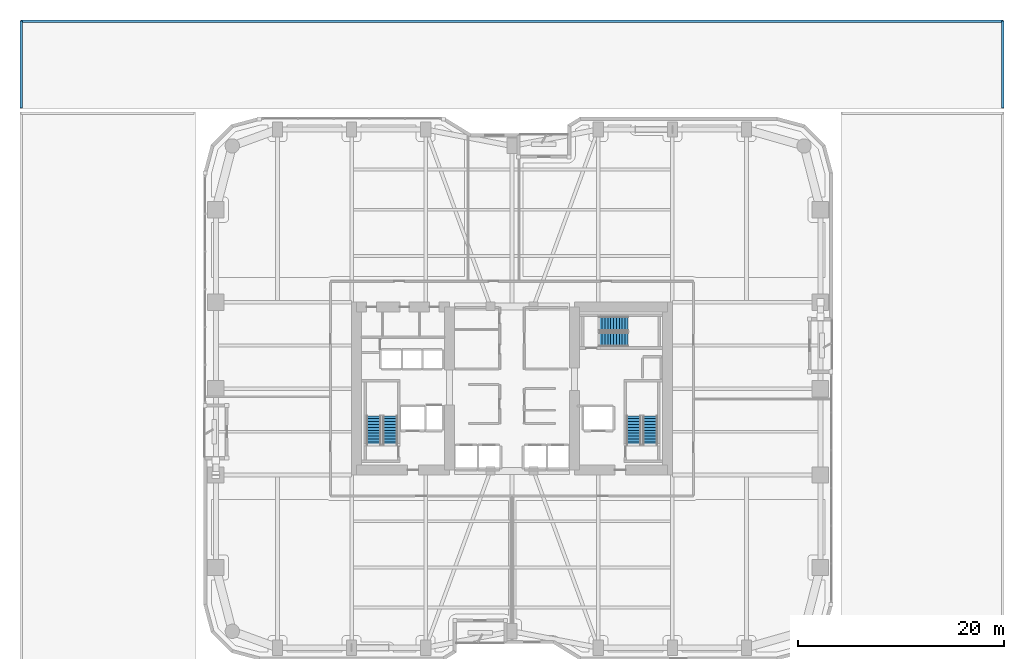
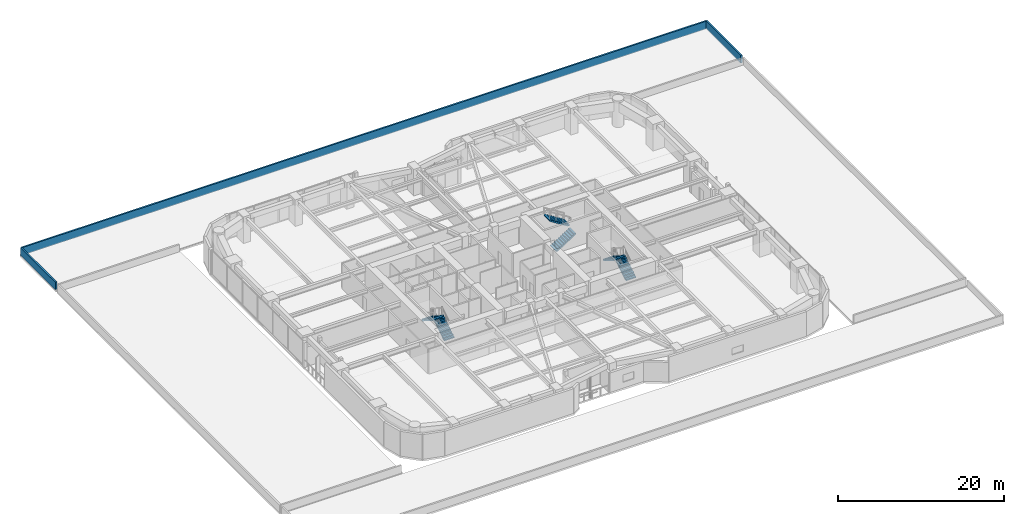
# One storey, part 32 of 38: 6 stair flights, 3 walls, 3 elements without a shape of their own.
"""IFC4 building model written with IfcOpenShell, lengths in metres."""

from ifc_helpers import new_model, si_unit, direction, frame, frame_2d, origin, place, context, subcontext, project, spatial, polyline, rectangle, outline, extrude, material, layer, layer_set, type_object, element, aggregate, save


model = new_model("IFC4")

# Units and contexts
model_context = context("Model", 3, precision=1e-05, world=origin(), true_north=direction((0.0, 1.0)))
body_context = subcontext(model_context, "Body", "Model", "MODEL_VIEW")
ifc_project = project(units=[si_unit("LENGTHUNIT", "METRE"), si_unit("AREAUNIT", "SQUARE_METRE"), si_unit("VOLUMEUNIT", "CUBIC_METRE"), si_unit("PLANEANGLEUNIT", "RADIAN"), si_unit("MASSUNIT", "GRAM", prefix="KILO")], contexts=[model_context])

# Site, building, storey
site_placement = place(None, origin())
site = spatial("IfcSite", under=ifc_project, at=site_placement, CompositionType="ELEMENT")
building_placement = place(site_placement, origin())
building = spatial("IfcBuilding", under=site, at=building_placement, Name="Kiyonajd Concourse Tower", CompositionType="ELEMENT")
storey_placement = place(building_placement, frame((0.0, 0.0, 21.60009765625)))
storey = spatial("IfcBuildingStorey", under=building, at=storey_placement, Name="L06", CompositionType="ELEMENT", Elevation=21.60009765625)

# Walls
ifc_material_1 = material(Name="Precast concrete C50/60", Category="concrete")
ifc_layer = layer(ifc_material_1, 0.219970703125)
ifc_layer_set = layer_set([ifc_layer], Name="Precast concrete C50/60")
wall_type = type_object("IfcWallType", Name="WL-PAR-220", PredefinedType="PARAPET", material=ifc_layer_set)
for number, where, z_axis, x_axis, name in (
    (1, (95.739990234375, 71.739990234375, 0.0), (0.0, 0.0, 1.0), (0.0, -1.0, 0.0), "L06 Setback Roof Parapet 01"),
    (2, (0.260009765625, 63.31005859375, 0.0), (0.0, 0.0, 1.0), (0.0, 1.0, 0.0), "L06 Setback Roof Parapet 03"),
):
    element("IfcWall", number, at=place(storey_placement, frame(where, z_axis=z_axis, x_axis=x_axis)), inside=storey, type_object=wall_type, Name=name, PredefinedType="PARAPET", context=body_context, shape_type="SweptSolid", body=[
        extrude(rectangle(XDim=8.429931640625, YDim=0.219970703125, at=frame_2d((4.21484375, 0.0))), origin(), (0.0, 0.0, 1.0), 1.14990234375),
    ])
wall_placement = place(storey_placement, frame((0.260009765625, 71.739990234375, 0.0), z_axis=(0.0, 0.0, 1.0), x_axis=(1.0, 0.0, 0.0)))
element("IfcWall", 3, at=wall_placement, inside=storey, type_object=wall_type, Name="L06 Setback Roof Parapet 04", PredefinedType="PARAPET", context=body_context, shape_type="SweptSolid", body=[
    extrude(rectangle(XDim=95.47998046875, YDim=0.219970703125, at=frame_2d((47.739990234375, 0.0))), origin(), (0.0, 0.0, 1.0), 1.14990234375),
])

# Stair, stair flights
ifc_material_2 = material(Name="Concrete C40/50", Category="concrete")
stair_type = type_object("IfcStairType", Name="ST-DLG-22R", PredefinedType="HALF_TURN_STAIR", material=ifc_material_2)
stair_1_placement = place(storey_placement, origin())
stair_1 = element("IfcStair", 4, at=stair_1_placement, inside=storey, type_object=stair_type, Name="L06 Protected Exit Stair ST1", PredefinedType="HALF_TURN_STAIR")
stair_flight_type = type_object("IfcStairFlightType", Name="SF-STR-22R", PredefinedType="STRAIGHT", material=ifc_material_2)
stair_flight_1_placement = place(storey_placement, frame((36.14990234375, 30.550048828125, 0.0), z_axis=(0.0, 0.0, 1.0), x_axis=(0.0, 1.0, 0.0)))
stair_flight_1 = element("IfcStairFlight", 5, at=stair_flight_1_placement, type_object=stair_flight_type, Name="ST1 flight 1", NumberOfRisers=11, NumberOfTreads=10, PredefinedType="STRAIGHT", RiserHeight=0.177272727, TreadLength=0.28, context=body_context, shape_type="SweptSolid", body=[
    extrude(outline(polyline([(0.0, 0.0), (0.0, 0.17724609375), (0.280029296875, 0.17724609375), (0.280029296875, 0.3544921875), (0.56005859375, 0.3544921875), (0.56005859375, 0.53173828125), (0.840087890625, 0.53173828125), (0.840087890625, 0.708984375), (1.1201171875, 0.708984375), (1.1201171875, 0.886474609375), (1.39990234375, 0.886474609375), (1.39990234375, 1.063720703125), (1.679931640625, 1.063720703125), (1.679931640625, 1.240966796875), (1.9599609375, 1.240966796875), (1.9599609375, 1.418212890625), (2.239990234375, 1.418212890625), (2.239990234375, 1.595458984375), (2.52001953125, 1.595458984375), (2.52001953125, 1.772705078125), (2.800048828125, 1.772705078125), (2.800048828125, 1.949951171875), (2.800048828125, 1.59521484375), (0.2802734375, 0.0), (0.0, 0.0)])), frame((0.0, 0.699951171875, 0.0), z_axis=(0.0, -1.0, 0.0), x_axis=(1.0, 0.0, 0.0)), (0.0, 0.0, 1.0), 1.39990234375),
])
stair_flight_2_placement = place(storey_placement, frame((34.550048828125, 33.35009765625, 1.949951171875), z_axis=(0.0, 0.0, 1.0), x_axis=(0.0, -1.0, 0.0)))
stair_flight_2 = element("IfcStairFlight", 6, at=stair_flight_2_placement, type_object=stair_flight_type, Name="ST1 flight 2", NumberOfRisers=11, NumberOfTreads=10, PredefinedType="STRAIGHT", RiserHeight=0.177272727, TreadLength=0.28, context=body_context, shape_type="SweptSolid", body=[
    extrude(outline(polyline([(0.0, 0.0), (0.0, 0.17724609375), (0.280029296875, 0.17724609375), (0.280029296875, 0.3544921875), (0.56005859375, 0.3544921875), (0.56005859375, 0.53173828125), (0.840087890625, 0.53173828125), (0.840087890625, 0.708984375), (1.1201171875, 0.708984375), (1.1201171875, 0.886474609375), (1.39990234375, 0.886474609375), (1.39990234375, 1.063720703125), (1.679931640625, 1.063720703125), (1.679931640625, 1.240966796875), (1.9599609375, 1.240966796875), (1.9599609375, 1.418212890625), (2.239990234375, 1.418212890625), (2.239990234375, 1.595458984375), (2.52001953125, 1.595458984375), (2.52001953125, 1.772705078125), (2.800048828125, 1.772705078125), (2.800048828125, 1.949951171875), (2.800048828125, 1.59521484375), (0.2802734375, 0.0), (0.0, 0.0)])), frame((0.0, 0.699951171875, 0.0), z_axis=(0.0, -1.0, 0.0), x_axis=(1.0, 0.0, 0.0)), (0.0, 0.0, 1.0), 1.39990234375),
])
aggregate(stair_1, [stair_flight_1, stair_flight_2])

stair_2_placement = place(storey_placement, origin())
stair_2 = element("IfcStair", 7, at=stair_2_placement, inside=storey, type_object=stair_type, Name="L06 Protected Exit Stair ST2", PredefinedType="HALF_TURN_STAIR")
stair_flight_3_placement = place(storey_placement, frame((61.449951171875, 30.550048828125, 0.0), z_axis=(0.0, 0.0, 1.0), x_axis=(0.0, 1.0, 0.0)))
stair_flight_3 = element("IfcStairFlight", 8, at=stair_flight_3_placement, type_object=stair_flight_type, Name="ST2 flight 1", NumberOfRisers=11, NumberOfTreads=10, PredefinedType="STRAIGHT", RiserHeight=0.177272727, TreadLength=0.28, context=body_context, shape_type="SweptSolid", body=[
    extrude(outline(polyline([(0.0, 0.0), (0.0, 0.17724609375), (0.280029296875, 0.17724609375), (0.280029296875, 0.3544921875), (0.56005859375, 0.3544921875), (0.56005859375, 0.53173828125), (0.840087890625, 0.53173828125), (0.840087890625, 0.708984375), (1.1201171875, 0.708984375), (1.1201171875, 0.886474609375), (1.39990234375, 0.886474609375), (1.39990234375, 1.063720703125), (1.679931640625, 1.063720703125), (1.679931640625, 1.240966796875), (1.9599609375, 1.240966796875), (1.9599609375, 1.418212890625), (2.239990234375, 1.418212890625), (2.239990234375, 1.595458984375), (2.52001953125, 1.595458984375), (2.52001953125, 1.772705078125), (2.800048828125, 1.772705078125), (2.800048828125, 1.949951171875), (2.800048828125, 1.59521484375), (0.2802734375, 0.0), (0.0, 0.0)])), frame((0.0, 0.699951171875, 0.0), z_axis=(0.0, -1.0, 0.0), x_axis=(1.0, 0.0, 0.0)), (0.0, 0.0, 1.0), 1.39990234375),
])
stair_flight_4_placement = place(storey_placement, frame((59.85009765625, 33.35009765625, 1.949951171875), z_axis=(0.0, 0.0, 1.0), x_axis=(0.0, -1.0, 0.0)))
stair_flight_4 = element("IfcStairFlight", 9, at=stair_flight_4_placement, type_object=stair_flight_type, Name="ST2 flight 2", NumberOfRisers=11, NumberOfTreads=10, PredefinedType="STRAIGHT", RiserHeight=0.177272727, TreadLength=0.28, context=body_context, shape_type="SweptSolid", body=[
    extrude(outline(polyline([(0.0, 0.0), (0.0, 0.17724609375), (0.280029296875, 0.17724609375), (0.280029296875, 0.3544921875), (0.56005859375, 0.3544921875), (0.56005859375, 0.53173828125), (0.840087890625, 0.53173828125), (0.840087890625, 0.708984375), (1.1201171875, 0.708984375), (1.1201171875, 0.886474609375), (1.39990234375, 0.886474609375), (1.39990234375, 1.063720703125), (1.679931640625, 1.063720703125), (1.679931640625, 1.240966796875), (1.9599609375, 1.240966796875), (1.9599609375, 1.418212890625), (2.239990234375, 1.418212890625), (2.239990234375, 1.595458984375), (2.52001953125, 1.595458984375), (2.52001953125, 1.772705078125), (2.800048828125, 1.772705078125), (2.800048828125, 1.949951171875), (2.800048828125, 1.59521484375), (0.2802734375, 0.0), (0.0, 0.0)])), frame((0.0, 0.699951171875, 0.0), z_axis=(0.0, -1.0, 0.0), x_axis=(1.0, 0.0, 0.0)), (0.0, 0.0, 1.0), 1.39990234375),
])
aggregate(stair_2, [stair_flight_3, stair_flight_4])

stair_3_placement = place(storey_placement, origin())
stair_3 = element("IfcStair", 10, at=stair_3_placement, inside=storey, type_object=stair_type, Name="L06 Protected Exit Stair ST3", PredefinedType="HALF_TURN_STAIR")
stair_flight_5_placement = place(storey_placement, frame((56.47998046875, 40.780029296875, 0.0), z_axis=(0.0, 0.0, 1.0), x_axis=(1.0, 0.0, 0.0)))
stair_flight_5 = element("IfcStairFlight", 11, at=stair_flight_5_placement, type_object=stair_flight_type, Name="ST3 flight 1", NumberOfRisers=11, NumberOfTreads=10, PredefinedType="STRAIGHT", RiserHeight=0.177272727, TreadLength=0.28, context=body_context, shape_type="SweptSolid", body=[
    extrude(outline(polyline([(0.0, 0.0), (0.0, 0.17724609375), (0.280029296875, 0.17724609375), (0.280029296875, 0.3544921875), (0.56005859375, 0.3544921875), (0.56005859375, 0.53173828125), (0.840087890625, 0.53173828125), (0.840087890625, 0.708984375), (1.1201171875, 0.708984375), (1.1201171875, 0.886474609375), (1.39990234375, 0.886474609375), (1.39990234375, 1.063720703125), (1.679931640625, 1.063720703125), (1.679931640625, 1.240966796875), (1.9599609375, 1.240966796875), (1.9599609375, 1.418212890625), (2.239990234375, 1.418212890625), (2.239990234375, 1.595458984375), (2.52001953125, 1.595458984375), (2.52001953125, 1.772705078125), (2.800048828125, 1.772705078125), (2.800048828125, 1.949951171875), (2.800048828125, 1.59521484375), (0.2802734375, 0.0), (0.0, 0.0)])), frame((0.0, 0.699951171875, 0.0), z_axis=(0.0, -1.0, 0.0), x_axis=(1.0, 0.0, 0.0)), (0.0, 0.0, 1.0), 1.39990234375),
])
stair_flight_6_placement = place(storey_placement, frame((59.280029296875, 42.320068359375, 1.949951171875), z_axis=(0.0, 0.0, 1.0), x_axis=(-1.0, 0.0, 0.0)))
stair_flight_6 = element("IfcStairFlight", 12, at=stair_flight_6_placement, type_object=stair_flight_type, Name="ST3 flight 2", NumberOfRisers=11, NumberOfTreads=10, PredefinedType="STRAIGHT", RiserHeight=0.177272727, TreadLength=0.28, context=body_context, shape_type="SweptSolid", body=[
    extrude(outline(polyline([(0.0, 0.0), (0.0, 0.17724609375), (0.280029296875, 0.17724609375), (0.280029296875, 0.3544921875), (0.56005859375, 0.3544921875), (0.56005859375, 0.53173828125), (0.840087890625, 0.53173828125), (0.840087890625, 0.708984375), (1.1201171875, 0.708984375), (1.1201171875, 0.886474609375), (1.39990234375, 0.886474609375), (1.39990234375, 1.063720703125), (1.679931640625, 1.063720703125), (1.679931640625, 1.240966796875), (1.9599609375, 1.240966796875), (1.9599609375, 1.418212890625), (2.239990234375, 1.418212890625), (2.239990234375, 1.595458984375), (2.52001953125, 1.595458984375), (2.52001953125, 1.772705078125), (2.800048828125, 1.772705078125), (2.800048828125, 1.949951171875), (2.800048828125, 1.59521484375), (0.2802734375, 0.0), (0.0, 0.0)])), frame((0.0, 0.699951171875, 0.0), z_axis=(0.0, -1.0, 0.0), x_axis=(1.0, 0.0, 0.0)), (0.0, 0.0, 1.0), 1.39990234375),
])
aggregate(stair_3, [stair_flight_5, stair_flight_6])

save(model, "model.ifc")
